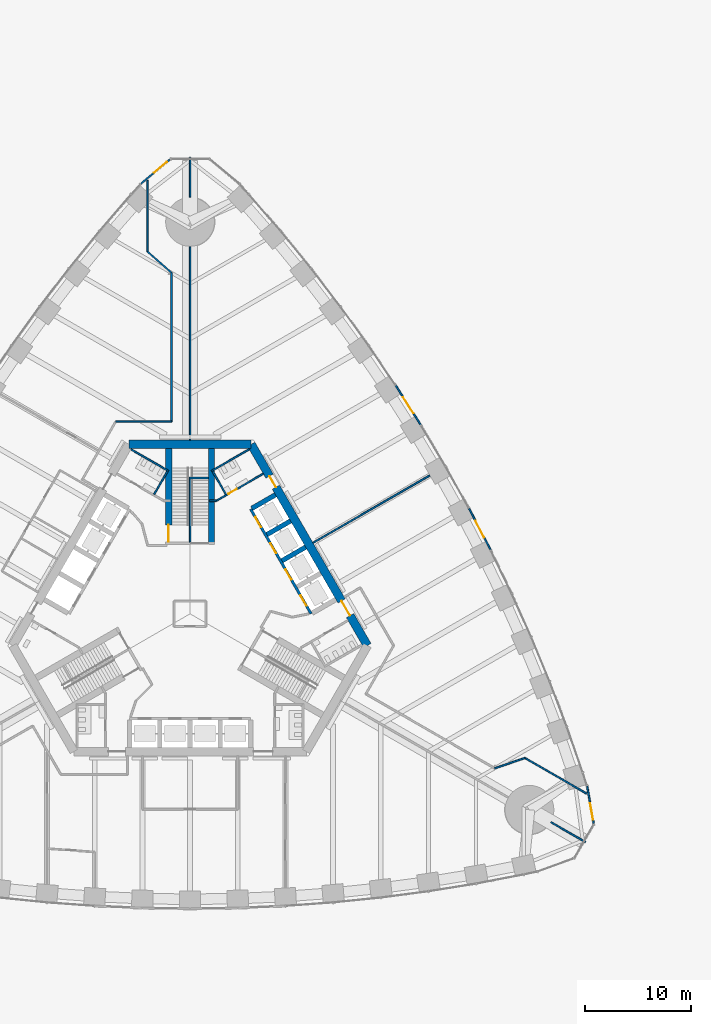
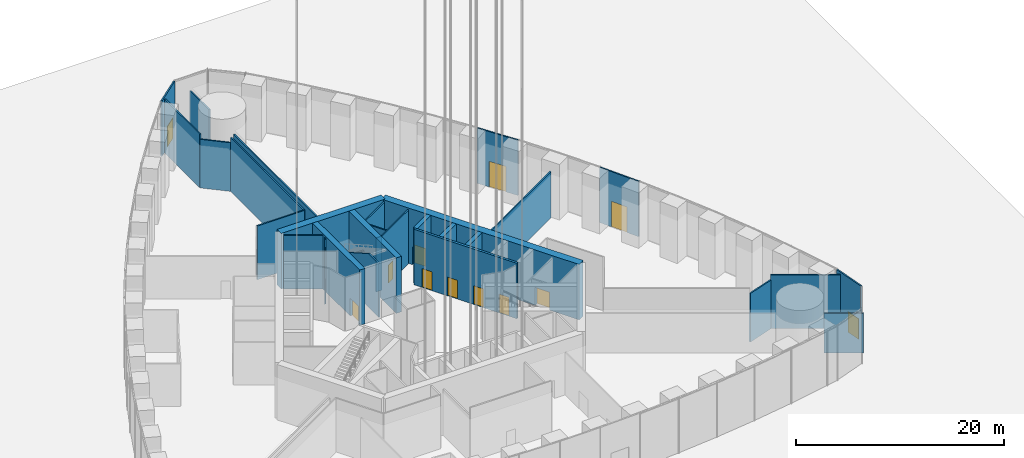
# One storey, part 19 of 43: 30 walls, 12 doors, 12 openings.
"""IFC4 building model written with IfcOpenShell, lengths in metres."""

from ifc_helpers import new_model, si_unit, direction, frame, frame_2d, origin, place, context, subcontext, project, spatial, polyline, rectangle, outline, extrude, material, layer, layer_set, type_object, element, fill, save


model = new_model("IFC4")

# Units and contexts
model_context = context("Model", 3, precision=1e-05, world=origin(), true_north=direction((0.0, 1.0)))
body_context = subcontext(model_context, "Body", "Model", "MODEL_VIEW")
ifc_project = project(units=[si_unit("LENGTHUNIT", "METRE"), si_unit("AREAUNIT", "SQUARE_METRE"), si_unit("VOLUMEUNIT", "CUBIC_METRE"), si_unit("PLANEANGLEUNIT", "RADIAN"), si_unit("MASSUNIT", "GRAM", prefix="KILO")], contexts=[model_context])

# Site, building, storey
site_placement = place(None, origin())
site = spatial("IfcSite", under=ifc_project, at=site_placement, CompositionType="ELEMENT")
building_placement = place(site_placement, origin())
building = spatial("IfcBuilding", under=site, at=building_placement, Name="Trefoil Bronze Tower", CompositionType="ELEMENT")
storey_placement = place(building_placement, origin())
storey = spatial("IfcBuildingStorey", under=building, at=storey_placement, Name="L00", CompositionType="ELEMENT", Elevation=0.0)

# Wall, openings, doors
ifc_material_1 = material(Name="Concrete B80", Category="concrete")
ifc_layer_1 = layer(ifc_material_1, 0.800048828125)
ifc_layer_set_1 = layer_set([ifc_layer_1], Name="Core wall 800")
wall_type_1 = type_object("IfcWallType", Name="Core wall 800", PredefinedType="SHEAR", material=ifc_layer_set_1)
wall_1_placement = place(storey_placement, frame((16.7431640625, -3.0, 0.0), z_axis=(0.0, 0.0, 1.0), x_axis=(-0.500002442456, 0.866023993627, 0.0)))
wall_1 = element("IfcWall", 1, at=wall_1_placement, inside=storey, type_object=wall_type_1, Name="Core long wall 2 L00", PredefinedType="SHEAR", context=body_context, shape_type="SweptSolid", body=[
    extrude(rectangle(XDim=21.939453125, YDim=0.800048828125, at=frame_2d((10.9697265625, 0.0))), origin(), (0.0, 0.0, 1.0), 6.5),
])
opening_1_placement = place(wall_1_placement, frame((17.269775390625, 0.0, 0.0)))
opening_1 = element("IfcOpeningElement", 2, at=opening_1_placement, cuts=wall_1, Name="Opening D2", PredefinedType="OPENING", context=body_context, shape_type="SweptSolid", body=[
    extrude(rectangle(XDim=1.199951171875, YDim=2.10009765625, at=frame_2d((0.60009765625, 1.050048828125))), frame((0.0, 0.409912109375, 0.0), z_axis=(0.0, -1.0, 0.0), x_axis=(1.0, 0.0, 0.0)), (0.0, 0.0, 1.0), 0.820068359375),
])
opening_2_placement = place(wall_1_placement, frame((3.269775390625, 0.0, 0.0)))
opening_2 = element("IfcOpeningElement", 3, at=opening_2_placement, cuts=wall_1, Name="Opening D7", PredefinedType="OPENING", context=body_context, shape_type="SweptSolid", body=[
    extrude(rectangle(XDim=1.60009765625, YDim=2.10009765625, at=frame_2d((0.800048828125, 1.050048828125))), frame((0.0, 0.409912109375, 0.0), z_axis=(0.0, -1.0, 0.0), x_axis=(1.0, 0.0, 0.0)), (0.0, 0.0, 1.0), 0.820068359375),
])
ifc_material_2 = material(Name="Steel door", Category="steel")
door_type_1 = type_object("IfcDoorType", Name="Exit passage door 1600", OperationType="DOUBLE_DOOR_SINGLE_SWING", PredefinedType="DOOR", material=ifc_material_2)
door_1_placement = place(opening_2_placement, frame((1.60009765625, 0.0, 0.0), z_axis=(0.0, 0.0, 1.0), x_axis=(-1.0, 0.0, 0.0)))
door_1 = element("IfcDoor", 4, at=door_1_placement, inside=storey, type_object=door_type_1, Name="Exit passage door ST1", OperationType="DOUBLE_DOOR_SINGLE_SWING", OverallHeight=2.10009765625, OverallWidth=1.60009765625, PredefinedType="DOOR", context=body_context, shape_type="SweptSolid", body=[
    extrude(rectangle(XDim=1.60009765625, YDim=2.10009765625, at=frame_2d((0.800048828125, 1.050048828125))), frame((0.0, 0.02490234375, 0.0), z_axis=(0.0, -1.0, 0.0), x_axis=(1.0, 0.0, 0.0)), (0.0, 0.0, 1.0), 0.050048828125),
])
fill(opening_2, door_1)
ifc_material_3 = material(Name="Steel door", Category="steel")
door_type_2 = type_object("IfcDoorType", Name="Lobby door 1200", OperationType="SINGLE_SWING_RIGHT", PredefinedType="DOOR", material=ifc_material_3)
door_2_placement = place(opening_1_placement, frame((1.199951171875, 0.0, 0.0), z_axis=(0.0, 0.0, 1.0), x_axis=(-1.0, 0.0, 0.0)))
door_2 = element("IfcDoor", 5, at=door_2_placement, inside=storey, type_object=door_type_2, Name="Lobby door F2+ L00", OperationType="SINGLE_SWING_LEFT", OverallHeight=2.10009765625, OverallWidth=1.199951171875, PredefinedType="DOOR", context=body_context, shape_type="SweptSolid", body=[
    extrude(rectangle(XDim=1.199951171875, YDim=2.10009765625, at=frame_2d((0.60009765625, 1.050048828125))), frame((0.0, 0.02490234375, 0.0), z_axis=(0.0, -1.0, 0.0), x_axis=(1.0, 0.0, 0.0)), (0.0, 0.0, 1.0), 0.050048828125),
])
fill(opening_1, door_2)

# Wall
wall_2_placement = place(storey_placement, frame((5.7734375, 16.0, 0.0), z_axis=(0.0, 0.0, 1.0), x_axis=(-1.0, 0.0, 0.0)))
element("IfcWall", 6, at=wall_2_placement, inside=storey, type_object=wall_type_1, Name="Core short wall 2 L00", PredefinedType="SHEAR", context=body_context, shape_type="SweptSolid", body=[
    extrude(rectangle(XDim=11.546875, YDim=0.800048828125, at=frame_2d((5.7734375, 0.0))), origin(), (0.0, 0.0, 1.0), 6.5),
])

# Wall, opening, door
ifc_material_4 = material(Name="Bronze-framed glazed screen", Category="glass")
ifc_layer_2 = layer(ifc_material_4, 0.14990234375)
ifc_layer_set_2 = layer_set([ifc_layer_2], Name="Entrance screen 150")
wall_type_2 = type_object("IfcWallType", Name="Entrance screen 150", PredefinedType="SOLIDWALL", material=ifc_layer_set_2)
wall_3_placement = place(storey_placement, frame((38.107177734375, -19.78955078125, 0.0), z_axis=(0.0, 0.0, 1.0), x_axis=(-0.173652987794, 0.984806904845, 0.0)))
wall_3 = element("IfcWall", 7, at=wall_3_placement, inside=storey, type_object=wall_type_2, Name="Entrance screen CW-B L00 K1 exit bay", PredefinedType="SOLIDWALL", context=body_context, shape_type="SweptSolid", body=[
    extrude(rectangle(XDim=3.578125, YDim=0.14990234375, at=frame_2d((1.7890625, 0.0))), origin(), (0.0, 0.0, 1.0), 6.47998046875),
])
opening_3_placement = place(wall_3_placement, frame((0.35009765625, 0.0, 0.0)))
opening_3 = element("IfcOpeningElement", 8, at=opening_3_placement, cuts=wall_3, Name="Opening DE4", PredefinedType="OPENING", context=body_context, shape_type="SweptSolid", body=[
    extrude(rectangle(XDim=1.60009765625, YDim=2.39990234375, at=frame_2d((0.800048828125, 1.199951171875))), frame((0.0, 0.0849609375, 0.0), z_axis=(0.0, -1.0, 0.0), x_axis=(1.0, 0.0, 0.0)), (0.0, 0.0, 1.0), 0.169921875),
])
ifc_material_5 = material(Name="Bronze-framed glass door", Category="glass")
door_type_3 = type_object("IfcDoorType", Name="Final exit door 1600", OperationType="DOUBLE_DOOR_SINGLE_SWING", PredefinedType="DOOR", material=ifc_material_5)
door_3_placement = place(opening_3_placement, frame((1.60009765625, 0.0, 0.0), z_axis=(0.0, 0.0, 1.0), x_axis=(-1.0, 0.0, 0.0)))
door_3 = element("IfcDoor", 9, at=door_3_placement, inside=storey, type_object=door_type_3, Name="Final exit door ST1", OperationType="DOUBLE_DOOR_SINGLE_SWING", OverallHeight=2.39990234375, OverallWidth=1.60009765625, PredefinedType="DOOR", context=body_context, shape_type="SweptSolid", body=[
    extrude(rectangle(XDim=1.60009765625, YDim=2.39990234375, at=frame_2d((0.800048828125, 1.199951171875))), frame((0.0, 0.02490234375, 0.0), z_axis=(0.0, -1.0, 0.0), x_axis=(1.0, 0.0, 0.0)), (0.0, 0.0, 1.0), 0.050048828125),
])
fill(opening_3, door_3)

wall_4_placement = place(storey_placement, frame((28.377197265625, 6.026611328125, 0.0), z_axis=(0.0, 0.0, 1.0), x_axis=(-0.461820728931, 0.886973288397, 0.0)))
wall_4 = element("IfcWall", 10, at=wall_4_placement, inside=storey, type_object=wall_type_2, Name="Entrance screen CW-C L00 F2 bay 2", PredefinedType="SOLIDWALL", context=body_context, shape_type="SweptSolid", body=[
    extrude(rectangle(XDim=4.434326171875, YDim=0.14990234375, at=frame_2d((2.21728515625, 0.0))), origin(), (0.0, 0.0, 1.0), 6.47998046875),
])
opening_4_placement = place(wall_4_placement, frame((1.317138671875, 0.0, 0.0)))
opening_4 = element("IfcOpeningElement", 11, at=opening_4_placement, cuts=wall_4, Name="Opening DE2", PredefinedType="OPENING", context=body_context, shape_type="SweptSolid", body=[
    extrude(rectangle(XDim=1.800048828125, YDim=3.0, at=frame_2d((0.89990234375, 1.5))), frame((0.0, 0.0849609375, 0.0), z_axis=(0.0, -1.0, 0.0), x_axis=(1.0, 0.0, 0.0)), (0.0, 0.0, 1.0), 0.169921875),
])
ifc_material_6 = material(Name="Bronze-framed glass door", Category="glass")
door_type_4 = type_object("IfcDoorType", Name="Shop door 1800", OperationType="DOUBLE_DOOR_SINGLE_SWING", PredefinedType="DOOR", material=ifc_material_6)
door_4_placement = place(opening_4_placement, frame((1.800048828125, 0.0, 0.0), z_axis=(0.0, 0.0, 1.0), x_axis=(-1.0, 0.0, 0.0)))
door_4 = element("IfcDoor", 12, at=door_4_placement, inside=storey, type_object=door_type_4, Name="Shop door F2 L00", OperationType="DOUBLE_DOOR_SINGLE_SWING", OverallHeight=3.0, OverallWidth=1.800048828125, PredefinedType="DOOR", context=body_context, shape_type="SweptSolid", body=[
    extrude(rectangle(XDim=1.800048828125, YDim=3.0, at=frame_2d((0.89990234375, 1.5))), frame((0.0, 0.02490234375, 0.0), z_axis=(0.0, -1.0, 0.0), x_axis=(1.0, 0.0, 0.0)), (0.0, 0.0, 1.0), 0.050048828125),
])
fill(opening_4, door_4)

wall_5_placement = place(storey_placement, frame((21.7900390625, 17.822021484375, 0.0), z_axis=(0.0, 0.0, 1.0), x_axis=(-0.537210337964, 0.843448310677, 0.0)))
wall_5 = element("IfcWall", 13, at=wall_5_placement, inside=storey, type_object=wall_type_2, Name="Entrance screen CW-C L00 F2 bay 4", PredefinedType="SOLIDWALL", context=body_context, shape_type="SweptSolid", body=[
    extrude(rectangle(XDim=4.43408203125, YDim=0.14990234375, at=frame_2d((2.217041015625, 0.0))), origin(), (0.0, 0.0, 1.0), 6.47998046875),
])
opening_5_placement = place(wall_5_placement, frame((1.317138671875, 0.0, 0.0)))
opening_5 = element("IfcOpeningElement", 14, at=opening_5_placement, cuts=wall_5, Name="Opening DE2", PredefinedType="OPENING", context=body_context, shape_type="SweptSolid", body=[
    extrude(rectangle(XDim=1.800048828125, YDim=3.0, at=frame_2d((0.89990234375, 1.5))), frame((0.0, 0.0849609375, 0.0), z_axis=(0.0, -1.0, 0.0), x_axis=(1.0, 0.0, 0.0)), (0.0, 0.0, 1.0), 0.169921875),
])
door_5_placement = place(opening_5_placement, frame((1.800048828125, 0.0, 0.0), z_axis=(0.0, 0.0, 1.0), x_axis=(-1.0, 0.0, 0.0)))
door_5 = element("IfcDoor", 15, at=door_5_placement, inside=storey, type_object=door_type_4, Name="Shop door F2 L00", OperationType="DOUBLE_DOOR_SINGLE_SWING", OverallHeight=3.0, OverallWidth=1.800048828125, PredefinedType="DOOR", context=body_context, shape_type="SweptSolid", body=[
    extrude(rectangle(XDim=1.800048828125, YDim=3.0, at=frame_2d((0.89990234375, 1.5))), frame((0.0, 0.02490234375, 0.0), z_axis=(0.0, -1.0, 0.0), x_axis=(1.0, 0.0, 0.0)), (0.0, 0.0, 1.0), 0.050048828125),
])
fill(opening_5, door_5)

wall_6_placement = place(storey_placement, frame((-1.915283203125, 42.896484375, 0.0), z_axis=(0.0, 0.0, 1.0), x_axis=(-0.766030048501, -0.642804764134, 0.0)))
wall_6 = element("IfcWall", 16, at=wall_6_placement, inside=storey, type_object=wall_type_2, Name="Entrance screen CW-B L00 K2 exit bay", PredefinedType="SOLIDWALL", context=body_context, shape_type="SweptSolid", body=[
    extrude(rectangle(XDim=3.578125, YDim=0.14990234375, at=frame_2d((1.7890625, 0.0))), origin(), (0.0, 0.0, 1.0), 6.47998046875),
])
opening_6_placement = place(wall_6_placement, frame((0.35009765625, 0.0, 0.0)))
opening_6 = element("IfcOpeningElement", 17, at=opening_6_placement, cuts=wall_6, Name="Opening DE4", PredefinedType="OPENING", context=body_context, shape_type="SweptSolid", body=[
    extrude(rectangle(XDim=1.60009765625, YDim=2.39990234375, at=frame_2d((0.800048828125, 1.199951171875))), frame((0.0, 0.0849609375, 0.0), z_axis=(0.0, -1.0, 0.0), x_axis=(1.0, 0.0, 0.0)), (0.0, 0.0, 1.0), 0.169921875),
])
door_6_placement = place(opening_6_placement, frame((1.60009765625, 0.0, 0.0), z_axis=(0.0, 0.0, 1.0), x_axis=(-1.0, 0.0, 0.0)))
door_6 = element("IfcDoor", 18, at=door_6_placement, inside=storey, type_object=door_type_3, Name="Final exit door ST2", OperationType="DOUBLE_DOOR_SINGLE_SWING", OverallHeight=2.39990234375, OverallWidth=1.60009765625, PredefinedType="DOOR", context=body_context, shape_type="SweptSolid", body=[
    extrude(rectangle(XDim=1.60009765625, YDim=2.39990234375, at=frame_2d((0.800048828125, 1.199951171875))), frame((0.0, 0.02490234375, 0.0), z_axis=(0.0, -1.0, 0.0), x_axis=(1.0, 0.0, 0.0)), (0.0, 0.0, 1.0), 0.050048828125),
])
fill(opening_6, door_6)

# Walls
ifc_material_7 = material(Name="Gypsum board on steel studs", Category="steel")
ifc_layer_3 = layer(ifc_material_7, 0.14990234375)
ifc_layer_set_3 = layer_set([ifc_layer_3], Name="Fire partition 150")
wall_type_3 = type_object("IfcWallType", Name="Fire partition 150", PredefinedType="PARTITIONING", material=ifc_layer_set_3)
wall_7_placement = place(storey_placement, frame((28.760986328125, -14.58447265625, 0.0), z_axis=(0.0, 0.0, 1.0), x_axis=(0.947320595797, 0.32028688512, 0.0)))
element("IfcWall", 19, at=wall_7_placement, inside=storey, type_object=wall_type_3, Name="Exit passage wall ST1", PredefinedType="PARTITIONING", context=body_context, shape_type="SweptSolid", body=[
    extrude(rectangle(XDim=3.029296875, YDim=0.14990234375, at=frame_2d((1.5146484375, 0.0))), origin(), (0.0, 0.0, 1.0), 5.699951171875),
])
wall_8_placement = place(storey_placement, frame((31.630615234375, -13.6142578125, 0.0), z_axis=(0.0, 0.0, 1.0), x_axis=(0.866020068361, -0.500009241111, 0.0)))
element("IfcWall", 20, at=wall_8_placement, inside=storey, type_object=wall_type_3, Name="Exit passage wall ST1", PredefinedType="PARTITIONING", context=body_context, shape_type="SweptSolid", body=[
    extrude(rectangle(XDim=6.730224609375, YDim=0.14990234375, at=frame_2d((3.365234375, 0.0))), origin(), (0.0, 0.0, 1.0), 6.300048828125),
])
wall_9_placement = place(storey_placement, frame((0.0, 6.77490234375, 0.0), z_axis=(0.0, 0.0, 1.0), x_axis=(0.0, 1.0, 0.0)))
element("IfcWall", 21, at=wall_9_placement, inside=storey, type_object=wall_type_3, Name="Basement stair partition ST2", PredefinedType="PARTITIONING", context=body_context, shape_type="SweptSolid", body=[
    extrude(outline(polyline([(0.0, 0.0), (5.97509765625, 0.0), (5.97509765625, 4.013916015625), (1.9658203125, 6.300048828125), (0.0, 6.300048828125), (0.0, 0.0)])), frame((0.0, 0.074951171875, 0.0), z_axis=(0.0, -1.0, 0.0), x_axis=(1.0, 0.0, 0.0)), (0.0, 0.0, 1.0), 0.14990234375),
])
wall_10_placement = place(storey_placement, frame((1.72509765625, 12.824951171875, 0.0), z_axis=(0.0, 0.0, 1.0), x_axis=(-1.0, 0.0, 0.0)))
element("IfcWall", 22, at=wall_10_placement, inside=storey, type_object=wall_type_3, Name="Basement stair partition ST2", PredefinedType="PARTITIONING", context=body_context, shape_type="SweptSolid", body=[
    extrude(rectangle(XDim=1.800048828125, YDim=0.14990234375, at=frame_2d((0.89990234375, 0.0))), origin(), (0.0, 0.0, 1.0), 3.57470703125),
])
wall_11_placement = place(storey_placement, frame((-7.014892578125, 18.14990234375, 0.0), z_axis=(0.0, 0.0, 1.0), x_axis=(1.0, 0.0, 0.0)))
element("IfcWall", 23, at=wall_11_placement, inside=storey, type_object=wall_type_3, Name="Exit passage wall ST2", PredefinedType="PARTITIONING", context=body_context, shape_type="SweptSolid", body=[
    extrude(rectangle(XDim=5.264892578125, YDim=0.14990234375, at=frame_2d((2.63232421875, 0.0))), origin(), (0.0, 0.0, 1.0), 6.300048828125),
])
wall_12_placement = place(storey_placement, frame((-1.75, 18.14990234375, 0.0), z_axis=(0.0, 0.0, 1.0), x_axis=(0.0, 1.0, 0.0)))
element("IfcWall", 24, at=wall_12_placement, inside=storey, type_object=wall_type_3, Name="Exit passage wall ST2", PredefinedType="PARTITIONING", context=body_context, shape_type="SweptSolid", body=[
    extrude(rectangle(XDim=14.050048828125, YDim=0.14990234375, at=frame_2d((7.02490234375, 0.0))), origin(), (0.0, 0.0, 1.0), 6.300048828125),
])
wall_13_placement = place(storey_placement, frame((-1.75, 32.199951171875, 0.0), z_axis=(0.0, 0.0, 1.0), x_axis=(-0.751026818711, 0.660271699815, 0.0)))
element("IfcWall", 25, at=wall_13_placement, inside=storey, type_object=wall_type_3, Name="Exit passage wall ST2", PredefinedType="PARTITIONING", context=body_context, shape_type="SweptSolid", body=[
    extrude(rectangle(XDim=3.029052734375, YDim=0.14990234375, at=frame_2d((1.5146484375, 0.0))), origin(), (0.0, 0.0, 1.0), 5.699951171875),
])
wall_14_placement = place(storey_placement, frame((-4.02490234375, 34.199951171875, 0.0), z_axis=(0.0, 0.0, 1.0), x_axis=(0.0, 1.0, 0.0)))
element("IfcWall", 26, at=wall_14_placement, inside=storey, type_object=wall_type_3, Name="Exit passage wall ST2", PredefinedType="PARTITIONING", context=body_context, shape_type="SweptSolid", body=[
    extrude(rectangle(XDim=6.73046875, YDim=0.14990234375, at=frame_2d((3.365234375, 0.0))), origin(), (0.0, 0.0, 1.0), 6.300048828125),
])
ifc_material_8 = material(Name="Concrete B80", Category="concrete")
ifc_layer_4 = layer(ifc_material_8, 0.449951171875)
ifc_layer_set_4 = layer_set([ifc_layer_4], Name="Outrigger shaft wall 450")
wall_type_4 = type_object("IfcWallType", Name="Outrigger shaft wall 450", PredefinedType="SHEAR", material=ifc_layer_set_4)
for number, where, z_axis, x_axis, name in (
    (27, (8.681884765625, 5.012451171875, 0.0), (0.0, 0.0, 1.0), (0.866005588531, 0.500034319456, 0.0), "Lift shaft side wall B2 L00"),
    (28, (7.2568359375, 7.480712890625, 0.0), (0.0, 0.0, 1.0), (0.866046643894, 0.499963209246, 0.0), "Lift shaft side wall B3 L00"),
):
    element("IfcWall", number, at=place(storey_placement, frame(where, z_axis=z_axis, x_axis=x_axis)), inside=storey, type_object=wall_type_4, Name=name, PredefinedType="SHEAR", context=body_context, shape_type="SweptSolid", body=[
        extrude(rectangle(XDim=2.574951171875, YDim=0.449951171875, at=frame_2d((1.28759765625, 0.0))), origin(), (0.0, 0.0, 1.0), 6.5),
    ])
wall_15_placement = place(storey_placement, frame((5.831787109375, 9.94873046875, 0.0), z_axis=(0.0, 0.0, 1.0), x_axis=(0.866029291668, 0.499993265928, 0.0)))
element("IfcWall", 29, at=wall_15_placement, inside=storey, type_object=wall_type_4, Name="Lift shaft side wall B4 L00", PredefinedType="SHEAR", context=body_context, shape_type="SweptSolid", body=[
    extrude(rectangle(XDim=2.5751953125, YDim=0.449951171875, at=frame_2d((1.28759765625, 0.0))), origin(), (0.0, 0.0, 1.0), 6.5),
])

# Wall, opening, door
ifc_material_9 = material(Name="Gypsum board on steel studs", Category="steel")
ifc_layer_5 = layer(ifc_material_9, 0.14990234375)
ifc_layer_set_5 = layer_set([ifc_layer_5], Name="Partition 150")
wall_type_5 = type_object("IfcWallType", Name="Partition 150", PredefinedType="PARTITIONING", material=ifc_layer_set_5)
wall_16_placement = place(storey_placement, frame((2.4951171875, 10.67822265625, 0.0), z_axis=(0.0, 0.0, 1.0), x_axis=(0.86602216432, 0.500005610874, 0.0)))
wall_16 = element("IfcWall", 30, at=wall_16_placement, inside=storey, type_object=wall_type_5, Name="Passage wall F2+ L00", PredefinedType="PARTITIONING", context=body_context, shape_type="SweptSolid", body=[
    extrude(rectangle(XDim=5.10009765625, YDim=0.14990234375, at=frame_2d((2.550048828125, 0.0))), origin(), (0.0, 0.0, 1.0), 6.300048828125),
])
opening_7_placement = place(wall_16_placement, frame((1.300048828125, 0.0, 0.0)))
opening_7 = element("IfcOpeningElement", 31, at=opening_7_placement, cuts=wall_16, Name="Opening D3", PredefinedType="OPENING", context=body_context, shape_type="SweptSolid", body=[
    extrude(rectangle(XDim=0.89990234375, YDim=2.10009765625, at=frame_2d((0.449951171875, 1.050048828125))), frame((0.0, 0.0849609375, 0.0), z_axis=(0.0, -1.0, 0.0), x_axis=(1.0, 0.0, 0.0)), (0.0, 0.0, 1.0), 0.169921875),
])
ifc_material_10 = material(Name="Timber door", Category="wood")
door_type_5 = type_object("IfcDoorType", Name="WC door 900", OperationType="SINGLE_SWING_LEFT", PredefinedType="DOOR", material=ifc_material_10)
door_7_placement = place(opening_7_placement, origin())
door_7 = element("IfcDoor", 32, at=door_7_placement, inside=storey, type_object=door_type_5, Name="WC (men) door L00", OperationType="SINGLE_SWING_LEFT", OverallHeight=2.10009765625, OverallWidth=0.89990234375, PredefinedType="DOOR", context=body_context, shape_type="SweptSolid", body=[
    extrude(rectangle(XDim=0.89990234375, YDim=2.10009765625, at=frame_2d((0.449951171875, 1.050048828125))), frame((0.0, 0.02490234375, 0.0), z_axis=(0.0, -1.0, 0.0), x_axis=(1.0, 0.0, 0.0)), (0.0, 0.0, 1.0), 0.050048828125),
])
fill(opening_7, door_7)

# Walls
wall_17_placement = place(storey_placement, frame((2.4951171875, 10.67822265625, 0.0), z_axis=(0.0, 0.0, 1.0), x_axis=(-1.0, 0.0, 0.0)))
element("IfcWall", 33, at=wall_17_placement, inside=storey, type_object=wall_type_5, Name="WC wall ST2-1 L00", PredefinedType="PARTITIONING", context=body_context, shape_type="SweptSolid", body=[
    extrude(rectangle(XDim=0.64501953125, YDim=0.14990234375, at=frame_2d((0.322509765625, 0.0))), origin(), (0.0, 0.0, 1.0), 6.300048828125),
])
wall_18_placement = place(storey_placement, frame((2.03125, 13.48193359375, 0.0), z_axis=(0.0, 0.0, 1.0), x_axis=(0.866050731258, 0.499956128963, 0.0)))
element("IfcWall", 34, at=wall_18_placement, inside=storey, type_object=wall_type_5, Name="WC partition WC (men) L00", PredefinedType="PARTITIONING", context=body_context, shape_type="SweptSolid", body=[
    extrude(rectangle(XDim=4.099853515625, YDim=0.14990234375, at=frame_2d((2.0498046875, 0.0))), origin(), (0.0, 0.0, 1.0), 6.300048828125),
])
wall_19_placement = place(storey_placement, frame((3.388671875, 11.28076171875, 0.0), z_axis=(0.0, 0.0, 1.0), x_axis=(-0.499989096993, 0.866031698547, 0.0)))
element("IfcWall", 35, at=wall_19_placement, inside=storey, type_object=wall_type_5, Name="WC partition WC (men) L00", PredefinedType="PARTITIONING", context=body_context, shape_type="SweptSolid", body=[
    extrude(rectangle(XDim=2.509765625, YDim=0.14990234375, at=frame_2d((1.2548828125, 0.0))), origin(), (0.0, 0.0, 1.0), 6.300048828125),
])
wall_20_placement = place(storey_placement, frame((-2.03125, 13.48193359375, 0.0), z_axis=(0.0, 0.0, 1.0), x_axis=(-0.866050731258, 0.499956128963, 0.0)))
element("IfcWall", 36, at=wall_20_placement, inside=storey, type_object=wall_type_5, Name="WC partition WC (women) L00", PredefinedType="PARTITIONING", context=body_context, shape_type="SweptSolid", body=[
    extrude(rectangle(XDim=4.099853515625, YDim=0.14990234375, at=frame_2d((2.0498046875, 0.0))), origin(), (0.0, 0.0, 1.0), 6.300048828125),
])
wall_21_placement = place(storey_placement, frame((-3.388671875, 11.28076171875, 0.0), z_axis=(0.0, 0.0, 1.0), x_axis=(0.499989096993, 0.866031698547, 0.0)))
element("IfcWall", 37, at=wall_21_placement, inside=storey, type_object=wall_type_5, Name="WC partition WC (women) L00", PredefinedType="PARTITIONING", context=body_context, shape_type="SweptSolid", body=[
    extrude(rectangle(XDim=2.509765625, YDim=0.14990234375, at=frame_2d((1.2548828125, 0.0))), origin(), (0.0, 0.0, 1.0), 6.300048828125),
])
ifc_material_11 = material(Name="Gypsum board on steel studs", Category="steel")
ifc_layer_6 = layer(ifc_material_11, 0.14990234375)
ifc_layer_set_6 = layer_set([ifc_layer_6], Name="Party wall 150")
wall_type_6 = type_object("IfcWallType", Name="Party wall 150", PredefinedType="PARTITIONING", material=ifc_layer_set_6)
wall_22_placement = place(storey_placement, frame((34.078125, -19.675048828125, 0.0), z_axis=(0.0, 0.0, 1.0), x_axis=(0.866019247219, -0.500010663332, 0.0)))
element("IfcWall", 38, at=wall_22_placement, inside=storey, type_object=wall_type_6, Name="Party wall K1 L00", PredefinedType="PARTITIONING", context=body_context, shape_type="SweptSolid", body=[
    extrude(rectangle(XDim=3.76416015625, YDim=0.14990234375, at=frame_2d((1.882080078125, 0.0))), origin(), (0.0, 0.0, 1.0), 4.60009765625),
])
wall_23_placement = place(storey_placement, frame((0.0, 16.39990234375, 0.0), z_axis=(0.0, 0.0, 1.0), x_axis=(0.0, 1.0, 0.0)))
element("IfcWall", 39, at=wall_23_placement, inside=storey, type_object=wall_type_6, Name="Party wall K2 L00", PredefinedType="PARTITIONING", context=body_context, shape_type="SweptSolid", body=[
    extrude(rectangle(XDim=18.25, YDim=0.14990234375, at=frame_2d((9.125, 0.0))), origin(), (0.0, 0.0, 1.0), 4.60009765625),
])
wall_24_placement = place(storey_placement, frame((0.0, 39.35009765625, 0.0), z_axis=(0.0, 0.0, 1.0), x_axis=(0.0, 1.0, 0.0)))
element("IfcWall", 40, at=wall_24_placement, inside=storey, type_object=wall_type_6, Name="Party wall K2 L00", PredefinedType="PARTITIONING", context=body_context, shape_type="SweptSolid", body=[
    extrude(rectangle(XDim=3.763916015625, YDim=0.14990234375, at=frame_2d((1.8818359375, 0.0))), origin(), (0.0, 0.0, 1.0), 4.60009765625),
])
wall_25_placement = place(storey_placement, frame((11.61328125, 6.705078125, 0.0), z_axis=(0.0, 0.0, 1.0), x_axis=(0.866029791586, 0.499992400027, 0.0)))
element("IfcWall", 41, at=wall_25_placement, inside=storey, type_object=wall_type_6, Name="Demising wall F2 L00", PredefinedType="PARTITIONING", context=body_context, shape_type="SweptSolid", body=[
    extrude(rectangle(XDim=12.708740234375, YDim=0.14990234375, at=frame_2d((6.3544921875, 0.0))), origin(), (0.0, 0.0, 1.0), 5.39990234375),
])

# Wall, openings, doors
ifc_material_12 = material(Name="Concrete B80", Category="concrete")
ifc_layer_7 = layer(ifc_material_12, 0.25)
ifc_layer_set_7 = layer_set([ifc_layer_7], Name="Shaft wall 250")
wall_type_7 = type_object("IfcWallType", Name="Shaft wall 250", PredefinedType="SHEAR", material=ifc_layer_set_7)
wall_26_placement = place(storey_placement, frame((11.423583984375, 0.013671875, 0.0), z_axis=(0.0, 0.0, 1.0), x_axis=(-0.500001763848, 0.866024385424, 0.0)))
wall_26 = element("IfcWall", 42, at=wall_26_placement, inside=storey, type_object=wall_type_7, Name="Lift shaft front wall B L00", PredefinedType="SHEAR", context=body_context, shape_type="SweptSolid", body=[
    extrude(rectangle(XDim=11.39990234375, YDim=0.25, at=frame_2d((5.699951171875, 0.0))), origin(), (0.0, 0.0, 1.0), 6.5),
])
opening_8_placement = place(wall_26_placement, frame((0.875, 0.0, 0.0)))
opening_8 = element("IfcOpeningElement", 43, at=opening_8_placement, cuts=wall_26, Name="Opening LD-S1", PredefinedType="OPENING", context=body_context, shape_type="SweptSolid", body=[
    extrude(rectangle(XDim=1.10009765625, YDim=2.199951171875, at=frame_2d((0.550048828125, 1.10009765625))), frame((0.0, 0.135009765625, 0.0), z_axis=(0.0, -1.0, 0.0), x_axis=(1.0, 0.0, 0.0)), (0.0, 0.0, 1.0), 0.27001953125),
])
opening_9_placement = place(wall_26_placement, frame((3.72509765625, 0.0, 0.0)))
opening_9 = element("IfcOpeningElement", 44, at=opening_9_placement, cuts=wall_26, Name="Opening LD-S2", PredefinedType="OPENING", context=body_context, shape_type="SweptSolid", body=[
    extrude(rectangle(XDim=1.10009765625, YDim=2.199951171875, at=frame_2d((0.550048828125, 1.10009765625))), frame((0.0, 0.135009765625, 0.0), z_axis=(0.0, -1.0, 0.0), x_axis=(1.0, 0.0, 0.0)), (0.0, 0.0, 1.0), 0.27001953125),
])
opening_10_placement = place(wall_26_placement, frame((6.574951171875, 0.0, 0.0)))
opening_10 = element("IfcOpeningElement", 45, at=opening_10_placement, cuts=wall_26, Name="Opening LD-S3", PredefinedType="OPENING", context=body_context, shape_type="SweptSolid", body=[
    extrude(rectangle(XDim=1.10009765625, YDim=2.199951171875, at=frame_2d((0.550048828125, 1.10009765625))), frame((0.0, 0.135009765625, 0.0), z_axis=(0.0, -1.0, 0.0), x_axis=(1.0, 0.0, 0.0)), (0.0, 0.0, 1.0), 0.27001953125),
])
opening_11_placement = place(wall_26_placement, frame((9.425048828125, 0.0, 0.0)))
opening_11 = element("IfcOpeningElement", 46, at=opening_11_placement, cuts=wall_26, Name="Opening LD-S4", PredefinedType="OPENING", context=body_context, shape_type="SweptSolid", body=[
    extrude(rectangle(XDim=1.10009765625, YDim=2.199951171875, at=frame_2d((0.550048828125, 1.10009765625))), frame((0.0, 0.135009765625, 0.0), z_axis=(0.0, -1.0, 0.0), x_axis=(1.0, 0.0, 0.0)), (0.0, 0.0, 1.0), 0.27001953125),
])
ifc_material_13 = material(Name="Steel door", Category="steel")
door_type_6 = type_object("IfcDoorType", Name="Lift landing door 1100", OperationType="DOUBLE_DOOR_SLIDING", PredefinedType="DOOR", material=ifc_material_13)
door_8_placement = place(opening_8_placement, origin())
door_8 = element("IfcDoor", 47, at=door_8_placement, inside=storey, type_object=door_type_6, Name="Lift S1 landing door L00", OperationType="DOUBLE_DOOR_SLIDING", OverallHeight=2.199951171875, OverallWidth=1.10009765625, PredefinedType="DOOR", context=body_context, shape_type="SweptSolid", body=[
    extrude(rectangle(XDim=1.10009765625, YDim=2.199951171875, at=frame_2d((0.550048828125, 1.10009765625))), frame((0.0, 0.02490234375, 0.0), z_axis=(0.0, -1.0, 0.0), x_axis=(1.0, 0.0, 0.0)), (0.0, 0.0, 1.0), 0.050048828125),
])
fill(opening_8, door_8)
door_9_placement = place(opening_9_placement, origin())
door_9 = element("IfcDoor", 48, at=door_9_placement, inside=storey, type_object=door_type_6, Name="Lift S2 landing door L00", OperationType="DOUBLE_DOOR_SLIDING", OverallHeight=2.199951171875, OverallWidth=1.10009765625, PredefinedType="DOOR", context=body_context, shape_type="SweptSolid", body=[
    extrude(rectangle(XDim=1.10009765625, YDim=2.199951171875, at=frame_2d((0.550048828125, 1.10009765625))), frame((0.0, 0.02490234375, 0.0), z_axis=(0.0, -1.0, 0.0), x_axis=(1.0, 0.0, 0.0)), (0.0, 0.0, 1.0), 0.050048828125),
])
fill(opening_9, door_9)
door_10_placement = place(opening_10_placement, origin())
door_10 = element("IfcDoor", 49, at=door_10_placement, inside=storey, type_object=door_type_6, Name="Lift S3 landing door L00", OperationType="DOUBLE_DOOR_SLIDING", OverallHeight=2.199951171875, OverallWidth=1.10009765625, PredefinedType="DOOR", context=body_context, shape_type="SweptSolid", body=[
    extrude(rectangle(XDim=1.10009765625, YDim=2.199951171875, at=frame_2d((0.550048828125, 1.10009765625))), frame((0.0, 0.02490234375, 0.0), z_axis=(0.0, -1.0, 0.0), x_axis=(1.0, 0.0, 0.0)), (0.0, 0.0, 1.0), 0.050048828125),
])
fill(opening_10, door_10)
door_11_placement = place(opening_11_placement, origin())
door_11 = element("IfcDoor", 50, at=door_11_placement, inside=storey, type_object=door_type_6, Name="Lift S4 landing door L00", OperationType="DOUBLE_DOOR_SLIDING", OverallHeight=2.199951171875, OverallWidth=1.10009765625, PredefinedType="DOOR", context=body_context, shape_type="SweptSolid", body=[
    extrude(rectangle(XDim=1.10009765625, YDim=2.199951171875, at=frame_2d((0.550048828125, 1.10009765625))), frame((0.0, 0.02490234375, 0.0), z_axis=(0.0, -1.0, 0.0), x_axis=(1.0, 0.0, 0.0)), (0.0, 0.0, 1.0), 0.050048828125),
])
fill(opening_11, door_11)

# Wall
ifc_material_14 = material(Name="Concrete B80", Category="concrete")
ifc_layer_8 = layer(ifc_material_14, 0.60009765625)
ifc_layer_set_8 = layer_set([ifc_layer_8], Name="Stair wall 600")
wall_type_8 = type_object("IfcWallType", Name="Stair wall 600", PredefinedType="SHEAR", material=ifc_layer_set_8)
wall_27_placement = place(storey_placement, frame((2.02490234375, 6.52490234375, 0.0), z_axis=(0.0, 0.0, 1.0), x_axis=(0.0, 1.0, 0.0)))
element("IfcWall", 51, at=wall_27_placement, inside=storey, type_object=wall_type_8, Name="Stair wall ST2 L00", PredefinedType="SHEAR", context=body_context, shape_type="SweptSolid", body=[
    extrude(rectangle(XDim=9.0751953125, YDim=0.60009765625, at=frame_2d((4.53759765625, 0.0))), origin(), (0.0, 0.0, 1.0), 6.5),
])

# Wall, opening, door
wall_28_placement = place(storey_placement, frame((-2.02490234375, 6.52490234375, 0.0), z_axis=(0.0, 0.0, 1.0), x_axis=(0.0, 1.0, 0.0)))
wall_28 = element("IfcWall", 52, at=wall_28_placement, inside=storey, type_object=wall_type_8, Name="Stair wall ST2 L00", PredefinedType="SHEAR", context=body_context, shape_type="SweptSolid", body=[
    extrude(rectangle(XDim=9.0751953125, YDim=0.60009765625, at=frame_2d((4.53759765625, 0.0))), origin(), (0.0, 0.0, 1.0), 6.5),
])
opening_12_placement = place(wall_28_placement, frame((0.264892578125, 0.0, 0.0)))
opening_12 = element("IfcOpeningElement", 53, at=opening_12_placement, cuts=wall_28, Name="Opening D1", PredefinedType="OPENING", context=body_context, shape_type="SweptSolid", body=[
    extrude(rectangle(XDim=1.60009765625, YDim=2.10009765625, at=frame_2d((0.800048828125, 1.050048828125))), frame((0.0, 0.31005859375, 0.0), z_axis=(0.0, -1.0, 0.0), x_axis=(1.0, 0.0, 0.0)), (0.0, 0.0, 1.0), 0.6201171875),
])
ifc_material_15 = material(Name="Steel door", Category="steel")
door_type_7 = type_object("IfcDoorType", Name="Stair door 1600", OperationType="DOUBLE_DOOR_SINGLE_SWING", PredefinedType="DOOR", material=ifc_material_15)
door_12_placement = place(opening_12_placement, origin())
door_12 = element("IfcDoor", 54, at=door_12_placement, inside=storey, type_object=door_type_7, Name="Stair exit door ST2", OperationType="DOUBLE_DOOR_SINGLE_SWING", OverallHeight=2.10009765625, OverallWidth=1.60009765625, PredefinedType="DOOR", context=body_context, shape_type="SweptSolid", body=[
    extrude(rectangle(XDim=1.60009765625, YDim=2.10009765625, at=frame_2d((0.800048828125, 1.050048828125))), frame((0.0, 0.02490234375, 0.0), z_axis=(0.0, -1.0, 0.0), x_axis=(1.0, 0.0, 0.0)), (0.0, 0.0, 1.0), 0.050048828125),
])
fill(opening_12, door_12)

save(model, "model.ifc")
